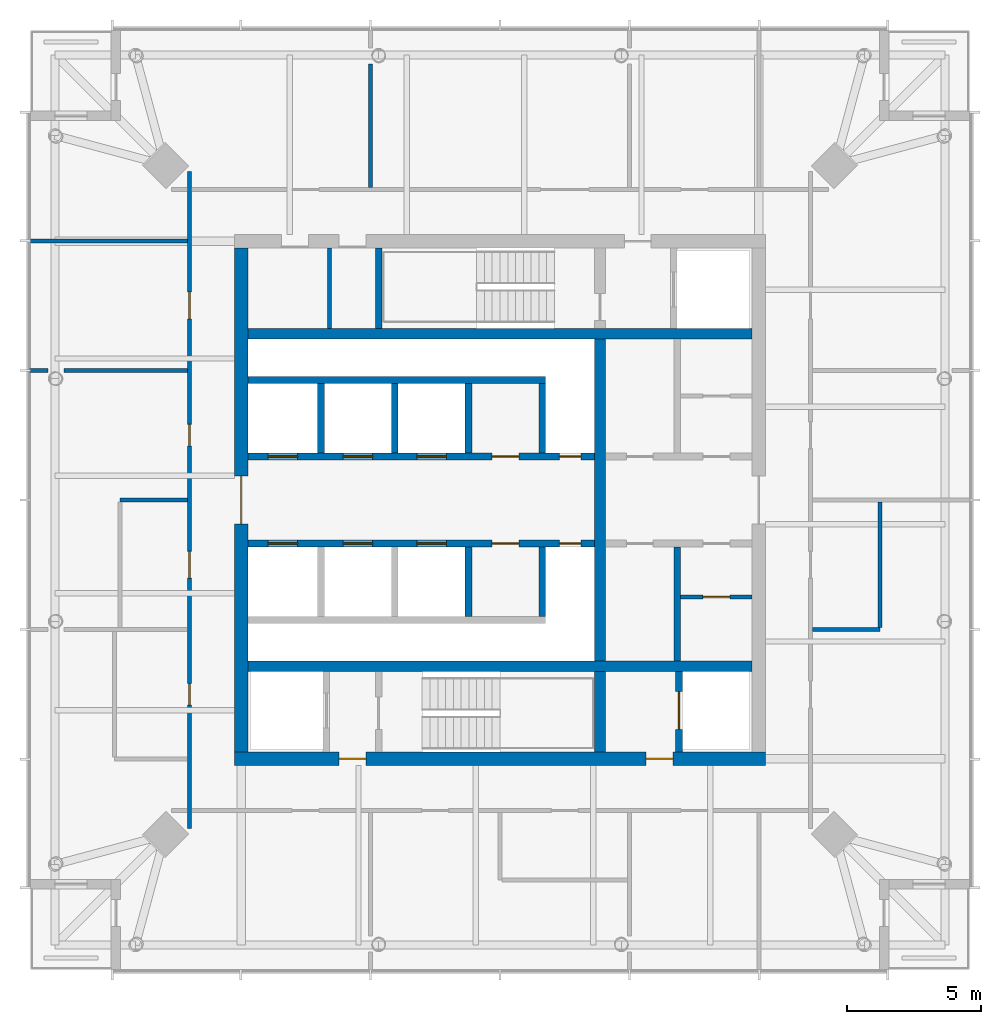
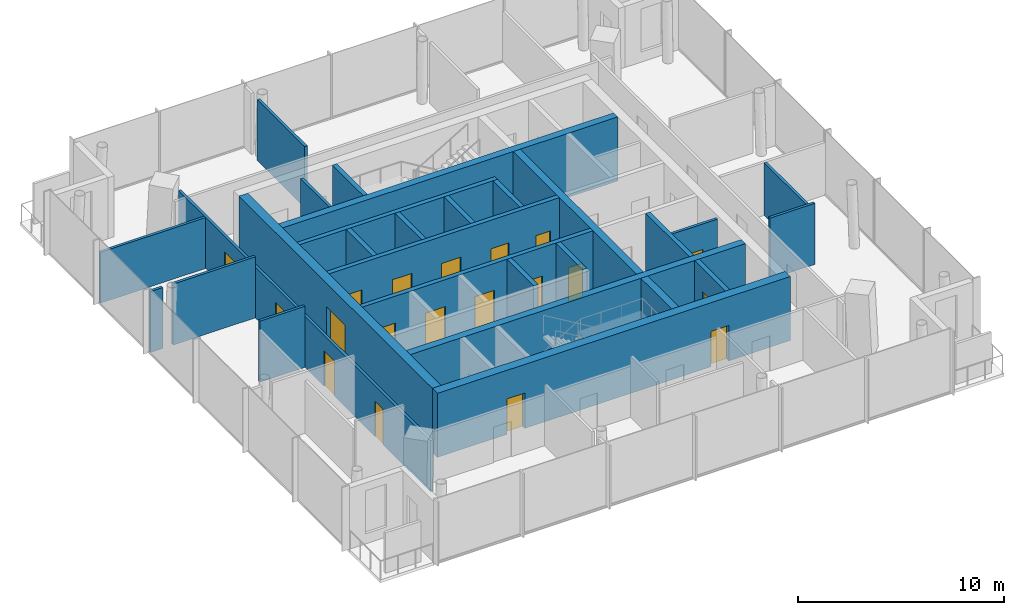
# One storey, part 4 of 7: 28 walls, 19 doors, 19 openings.
"""IFC4 building model written with IfcOpenShell, lengths in metres."""

from ifc_helpers import new_model, si_unit, direction, frame, frame_2d, origin, place, context, subcontext, project, spatial, rectangle, extrude, material, layer, layer_set, type_object, element, fill, save


model = new_model("IFC4")

# Units and contexts
model_context = context("Model", 3, precision=1e-05, world=origin(), true_north=direction((0.0, 1.0)))
body_context = subcontext(model_context, "Body", "Model", "MODEL_VIEW")
ifc_project = project(units=[si_unit("LENGTHUNIT", "METRE"), si_unit("AREAUNIT", "SQUARE_METRE"), si_unit("VOLUMEUNIT", "CUBIC_METRE"), si_unit("PLANEANGLEUNIT", "RADIAN"), si_unit("MASSUNIT", "GRAM", prefix="KILO")], contexts=[model_context])

# Site, building, storey
site_placement = place(None, origin())
site = spatial("IfcSite", under=ifc_project, at=site_placement, CompositionType="ELEMENT")
building_placement = place(site_placement, origin())
building = spatial("IfcBuilding", under=site, at=building_placement, Name="Ostroluk Exchange", CompositionType="ELEMENT")
storey_placement = place(building_placement, frame((0.0, 0.0, 252.800048828125)))
storey = spatial("IfcBuildingStorey", under=building, at=storey_placement, Name="L65", CompositionType="ELEMENT", Elevation=252.800048828125)

# Wall
ifc_material_1 = material(Name="Concrete blockwork", Category="masonry")
ifc_layer_1 = layer(ifc_material_1, 0.14990234375)
ifc_layer_set_1 = layer_set([ifc_layer_1], Name="Blockwork plant room wall 150")
wall_type_1 = type_object("IfcWallType", Name="Blockwork plant room wall 150", PredefinedType="SOLIDWALL", material=ifc_layer_set_1)
wall_1_placement = place(storey_placement, frame((38.639892578125, 52.39990234375, 0.0), z_axis=(0.0, 0.0, 1.0), x_axis=(0.0, 1.0, 0.0)))
element("IfcWall", 1, at=wall_1_placement, inside=storey, type_object=wall_type_1, Name="Core room wall", PredefinedType="SOLIDWALL", context=body_context, shape_type="SweptSolid", body=[
    extrude(rectangle(XDim=3.0, YDim=0.14990234375, at=frame_2d((1.5, 0.0))), origin(), (0.0, 0.0, 1.0), 3.619873046875),
])

# Wall, opening, door
wall_2_placement = place(storey_placement, frame((51.739990234375, 42.3798828125, 0.0), z_axis=(0.0, 0.0, 1.0), x_axis=(1.0, 0.0, 0.0)))
wall_2 = element("IfcWall", 2, at=wall_2_placement, inside=storey, type_object=wall_type_1, Name="Core room wall", PredefinedType="SOLIDWALL", context=body_context, shape_type="SweptSolid", body=[
    extrude(rectangle(XDim=2.659912109375, YDim=0.14990234375, at=frame_2d((1.330078125, 0.0))), origin(), (0.0, 0.0, 1.0), 3.619873046875),
])
opening_1_placement = place(wall_2_placement, frame((0.830078125, 0.0, 0.0)))
opening_1 = element("IfcOpeningElement", 3, at=opening_1_placement, cuts=wall_2, Name="Opening FD60", PredefinedType="OPENING", context=body_context, shape_type="SweptSolid", body=[
    extrude(rectangle(XDim=1.0, YDim=2.10009765625, at=frame_2d((0.5, 1.050048828125))), frame((0.0, 0.0849609375, 0.0), z_axis=(0.0, -1.0, 0.0), x_axis=(1.0, 0.0, 0.0)), (0.0, 0.0, 1.0), 0.169921875),
])
ifc_material_2 = material(Name="Steel", Category="steel")
door_type_1 = type_object("IfcDoorType", Name="Fire door EI 60 1000 x 2100", OperationType="SINGLE_SWING_LEFT", PredefinedType="DOOR", material=ifc_material_2)
door_1_placement = place(opening_1_placement, origin())
door_1 = element("IfcDoor", 4, at=door_1_placement, inside=storey, type_object=door_type_1, Name="Cleaner's store door", OperationType="SINGLE_SWING_RIGHT", OverallHeight=2.10009765625, OverallWidth=1.0, PredefinedType="DOOR", context=body_context, shape_type="SweptSolid", body=[
    extrude(rectangle(XDim=1.0, YDim=2.10009765625, at=frame_2d((0.5, 1.050048828125))), frame((0.0, 0.02490234375, 0.0), z_axis=(0.0, -1.0, 0.0), x_axis=(1.0, 0.0, 0.0)), (0.0, 0.0, 1.0), 0.050048828125),
])
fill(opening_1, door_1)

# Walls
ifc_material_3 = material(Name="Concrete C50/60", Category="concrete")
ifc_layer_2 = layer(ifc_material_3, 0.39990234375)
ifc_layer_set_2 = layer_set([ifc_layer_2], Name="Core cross wall 400 C50/60")
wall_type_2 = type_object("IfcWallType", Name="Core cross wall 400 C50/60", PredefinedType="SHEAR", material=ifc_layer_set_2)
for number, where, z_axis, x_axis, name in (
    (5, (35.60009765625, 39.800048828125, 0.0), (0.0, 0.0, 1.0), (1.0, 0.0, 0.0), "T1 core wall XS"),
    (6, (35.60009765625, 52.199951171875, 0.0), (0.0, 0.0, 1.0), (1.0, 0.0, 0.0), "T1 core wall XN"),
):
    element("IfcWall", number, at=place(storey_placement, frame(where, z_axis=z_axis, x_axis=x_axis)), inside=storey, type_object=wall_type_2, Name=name, PredefinedType="SHEAR", context=body_context, shape_type="SweptSolid", body=[
        extrude(rectangle(XDim=18.7998046875, YDim=0.39990234375, at=frame_2d((9.39990234375, 0.0))), origin(), (0.0, 0.0, 1.0), 3.800048828125),
    ])
wall_3_placement = place(storey_placement, frame((48.72998046875, 36.60009765625, 0.0), z_axis=(0.0, 0.0, 1.0), x_axis=(0.0, 1.0, 0.0)))
element("IfcWall", 7, at=wall_3_placement, inside=storey, type_object=wall_type_2, Name="T1 core wall YE1", PredefinedType="SHEAR", context=body_context, shape_type="SweptSolid", body=[
    extrude(rectangle(XDim=3.0, YDim=0.39990234375, at=frame_2d((1.5, 0.0))), origin(), (0.0, 0.0, 1.0), 3.800048828125),
])
wall_4_placement = place(storey_placement, frame((48.72998046875, 40.0, 0.0), z_axis=(0.0, 0.0, 1.0), x_axis=(0.0, 1.0, 0.0)))
element("IfcWall", 8, at=wall_4_placement, inside=storey, type_object=wall_type_2, Name="T1 core wall YE2", PredefinedType="SHEAR", context=body_context, shape_type="SweptSolid", body=[
    extrude(rectangle(XDim=12.0, YDim=0.39990234375, at=frame_2d((6.0, 0.0))), origin(), (0.0, 0.0, 1.0), 3.800048828125),
])

# Wall, opening, door
ifc_material_4 = material(Name="Concrete C40/50", Category="concrete")
ifc_layer_3 = layer(ifc_material_4, 0.25)
ifc_layer_set_3 = layer_set([ifc_layer_3], Name="Core shaft wall 250")
wall_type_3 = type_object("IfcWallType", Name="Core shaft wall 250", PredefinedType="SHEAR", material=ifc_layer_set_3)
wall_5_placement = place(storey_placement, frame((51.675048828125, 36.60009765625, 0.0), z_axis=(0.0, 0.0, 1.0), x_axis=(0.0, 1.0, 0.0)))
wall_5 = element("IfcWall", 9, at=wall_5_placement, inside=storey, type_object=wall_type_3, Name="Service lift shaft wall", PredefinedType="SHEAR", context=body_context, shape_type="SweptSolid", body=[
    extrude(rectangle(XDim=3.0, YDim=0.25, at=frame_2d((1.5, 0.0))), origin(), (0.0, 0.0, 1.0), 3.800048828125),
])
opening_2_placement = place(wall_5_placement, frame((0.85009765625, 0.0, 0.0)))
opening_2 = element("IfcOpeningElement", 10, at=opening_2_placement, cuts=wall_5, Name="Opening LD3", PredefinedType="OPENING", context=body_context, shape_type="SweptSolid", body=[
    extrude(rectangle(XDim=1.39990234375, YDim=2.39990234375, at=frame_2d((0.699951171875, 1.199951171875))), frame((0.0, 0.135009765625, 0.0), z_axis=(0.0, -1.0, 0.0), x_axis=(1.0, 0.0, 0.0)), (0.0, 0.0, 1.0), 0.27001953125),
])
ifc_material_5 = material(Name="Stainless steel", Category="steel")
door_type_2 = type_object("IfcDoorType", Name="Goods lift landing door E 60 1400 x 2400", OperationType="DOUBLE_DOOR_SLIDING", PredefinedType="DOOR", material=ifc_material_5)
door_2_placement = place(opening_2_placement, origin())
door_2 = element("IfcDoor", 11, at=door_2_placement, inside=storey, type_object=door_type_2, Name="Lift SL1 landing door", OperationType="DOUBLE_DOOR_SLIDING", OverallHeight=2.39990234375, OverallWidth=1.39990234375, PredefinedType="DOOR", context=body_context, shape_type="SweptSolid", body=[
    extrude(rectangle(XDim=1.39990234375, YDim=2.39990234375, at=frame_2d((0.699951171875, 1.199951171875))), frame((0.0, 0.02490234375, 0.0), z_axis=(0.0, -1.0, 0.0), x_axis=(1.0, 0.0, 0.0)), (0.0, 0.0, 1.0), 0.050048828125),
])
fill(opening_2, door_2)

# Walls
wall_6_placement = place(storey_placement, frame((40.47509765625, 52.39990234375, 0.0), z_axis=(0.0, 0.0, 1.0), x_axis=(0.0, 1.0, 0.0)))
element("IfcWall", 12, at=wall_6_placement, inside=storey, type_object=wall_type_3, Name="Stair shaft wall", PredefinedType="SHEAR", context=body_context, shape_type="SweptSolid", body=[
    extrude(rectangle(XDim=3.0, YDim=0.25, at=frame_2d((1.5, 0.0))), origin(), (0.0, 0.0, 1.0), 3.800048828125),
])
for number, where, z_axis, x_axis, name in (
    (13, (38.324951171875, 47.75, 0.0), (0.0, 0.0, 1.0), (0.0, 1.0, 0.0), "Lift shaft wall"),
    (14, (41.074951171875, 47.75, 0.0), (0.0, 0.0, 1.0), (0.0, 1.0, 0.0), "Lift shaft wall"),
    (15, (43.824951171875, 47.75, 0.0), (0.0, 0.0, 1.0), (0.0, 1.0, 0.0), "Lift shaft wall"),
    (16, (46.574951171875, 47.75, 0.0), (0.0, 0.0, 1.0), (0.0, 1.0, 0.0), "Lift shaft wall"),
):
    element("IfcWall", number, at=place(storey_placement, frame(where, z_axis=z_axis, x_axis=x_axis)), inside=storey, type_object=wall_type_3, Name=name, PredefinedType="SHEAR", context=body_context, shape_type="SweptSolid", body=[
        extrude(rectangle(XDim=2.60009765625, YDim=0.25, at=frame_2d((1.300048828125, 0.0))), origin(), (0.0, 0.0, 1.0), 3.800048828125),
    ])
wall_7_placement = place(storey_placement, frame((35.60009765625, 50.47509765625, 0.0), z_axis=(0.0, 0.0, 1.0), x_axis=(1.0, 0.0, 0.0)))
element("IfcWall", 17, at=wall_7_placement, inside=storey, type_object=wall_type_3, Name="Lift shaft wall", PredefinedType="SHEAR", context=body_context, shape_type="SweptSolid", body=[
    extrude(rectangle(XDim=11.099853515625, YDim=0.25, at=frame_2d((5.5498046875, 0.0))), origin(), (0.0, 0.0, 1.0), 3.800048828125),
])

# Wall, openings, doors
wall_8_placement = place(storey_placement, frame((35.60009765625, 47.625, 0.0), z_axis=(0.0, 0.0, 1.0), x_axis=(1.0, 0.0, 0.0)))
wall_8 = element("IfcWall", 18, at=wall_8_placement, inside=storey, type_object=wall_type_3, Name="Lift shaft front wall", PredefinedType="SHEAR", context=body_context, shape_type="SweptSolid", body=[
    extrude(rectangle(XDim=12.929931640625, YDim=0.25, at=frame_2d((6.46484375, 0.0))), origin(), (0.0, 0.0, 1.0), 3.800048828125),
])
opening_3_placement = place(wall_8_placement, frame((0.75, 0.0, 0.0)))
opening_3 = element("IfcOpeningElement", 19, at=opening_3_placement, cuts=wall_8, Name="Opening LD", PredefinedType="OPENING", context=body_context, shape_type="SweptSolid", body=[
    extrude(rectangle(XDim=1.10009765625, YDim=2.199951171875, at=frame_2d((0.550048828125, 1.10009765625))), frame((0.0, 0.135009765625, 0.0), z_axis=(0.0, -1.0, 0.0), x_axis=(1.0, 0.0, 0.0)), (0.0, 0.0, 1.0), 0.27001953125),
])
opening_4_placement = place(wall_8_placement, frame((3.550048828125, 0.0, 0.0)))
opening_4 = element("IfcOpeningElement", 20, at=opening_4_placement, cuts=wall_8, Name="Opening LD", PredefinedType="OPENING", context=body_context, shape_type="SweptSolid", body=[
    extrude(rectangle(XDim=1.10009765625, YDim=2.199951171875, at=frame_2d((0.550048828125, 1.10009765625))), frame((0.0, 0.135009765625, 0.0), z_axis=(0.0, -1.0, 0.0), x_axis=(1.0, 0.0, 0.0)), (0.0, 0.0, 1.0), 0.27001953125),
])
opening_5_placement = place(wall_8_placement, frame((6.300048828125, 0.0, 0.0)))
opening_5 = element("IfcOpeningElement", 21, at=opening_5_placement, cuts=wall_8, Name="Opening LD", PredefinedType="OPENING", context=body_context, shape_type="SweptSolid", body=[
    extrude(rectangle(XDim=1.10009765625, YDim=2.199951171875, at=frame_2d((0.550048828125, 1.10009765625))), frame((0.0, 0.135009765625, 0.0), z_axis=(0.0, -1.0, 0.0), x_axis=(1.0, 0.0, 0.0)), (0.0, 0.0, 1.0), 0.27001953125),
])
opening_6_placement = place(wall_8_placement, frame((9.10009765625, 0.0, 0.0)))
opening_6 = element("IfcOpeningElement", 22, at=opening_6_placement, cuts=wall_8, Name="Opening FD60", PredefinedType="OPENING", context=body_context, shape_type="SweptSolid", body=[
    extrude(rectangle(XDim=1.0, YDim=2.10009765625, at=frame_2d((0.5, 1.050048828125))), frame((0.0, 0.135009765625, 0.0), z_axis=(0.0, -1.0, 0.0), x_axis=(1.0, 0.0, 0.0)), (0.0, 0.0, 1.0), 0.27001953125),
])
opening_7_placement = place(wall_8_placement, frame((11.614990234375, 0.0, 0.0)))
opening_7 = element("IfcOpeningElement", 23, at=opening_7_placement, cuts=wall_8, Name="Opening RD60", PredefinedType="OPENING", context=body_context, shape_type="SweptSolid", body=[
    extrude(rectangle(XDim=0.800048828125, YDim=2.0, at=frame_2d((0.39990234375, 1.0))), frame((0.0, 0.135009765625, 0.0), z_axis=(0.0, -1.0, 0.0), x_axis=(1.0, 0.0, 0.0)), (0.0, 0.0, 1.0), 0.27001953125),
])
door_3_placement = place(opening_6_placement, origin())
door_3 = element("IfcDoor", 24, at=door_3_placement, inside=storey, type_object=door_type_1, Name="Core room door", OperationType="SINGLE_SWING_RIGHT", OverallHeight=2.10009765625, OverallWidth=1.0, PredefinedType="DOOR", context=body_context, shape_type="SweptSolid", body=[
    extrude(rectangle(XDim=1.0, YDim=2.10009765625, at=frame_2d((0.5, 1.050048828125))), frame((0.0, 0.02490234375, 0.0), z_axis=(0.0, -1.0, 0.0), x_axis=(1.0, 0.0, 0.0)), (0.0, 0.0, 1.0), 0.050048828125),
])
fill(opening_6, door_3)
ifc_material_6 = material(Name="Stainless steel", Category="steel")
door_type_3 = type_object("IfcDoorType", Name="Lift landing door E 60 1100 x 2200", OperationType="DOUBLE_DOOR_SLIDING", PredefinedType="DOOR", material=ifc_material_6)
door_4_placement = place(opening_3_placement, origin())
door_4 = element("IfcDoor", 25, at=door_4_placement, inside=storey, type_object=door_type_3, Name="Lift PL-T1 landing door", OperationType="DOUBLE_DOOR_SLIDING", OverallHeight=2.199951171875, OverallWidth=1.10009765625, PredefinedType="DOOR", context=body_context, shape_type="SweptSolid", body=[
    extrude(rectangle(XDim=1.10009765625, YDim=2.199951171875, at=frame_2d((0.550048828125, 1.10009765625))), frame((0.0, 0.02490234375, 0.0), z_axis=(0.0, -1.0, 0.0), x_axis=(1.0, 0.0, 0.0)), (0.0, 0.0, 1.0), 0.050048828125),
])
fill(opening_3, door_4)
door_5_placement = place(opening_4_placement, origin())
door_5 = element("IfcDoor", 26, at=door_5_placement, inside=storey, type_object=door_type_3, Name="Lift PL-T2 landing door", OperationType="DOUBLE_DOOR_SLIDING", OverallHeight=2.199951171875, OverallWidth=1.10009765625, PredefinedType="DOOR", context=body_context, shape_type="SweptSolid", body=[
    extrude(rectangle(XDim=1.10009765625, YDim=2.199951171875, at=frame_2d((0.550048828125, 1.10009765625))), frame((0.0, 0.02490234375, 0.0), z_axis=(0.0, -1.0, 0.0), x_axis=(1.0, 0.0, 0.0)), (0.0, 0.0, 1.0), 0.050048828125),
])
fill(opening_4, door_5)
door_6_placement = place(opening_5_placement, origin())
door_6 = element("IfcDoor", 27, at=door_6_placement, inside=storey, type_object=door_type_3, Name="Lift PL-T3 landing door", OperationType="DOUBLE_DOOR_SLIDING", OverallHeight=2.199951171875, OverallWidth=1.10009765625, PredefinedType="DOOR", context=body_context, shape_type="SweptSolid", body=[
    extrude(rectangle(XDim=1.10009765625, YDim=2.199951171875, at=frame_2d((0.550048828125, 1.10009765625))), frame((0.0, 0.02490234375, 0.0), z_axis=(0.0, -1.0, 0.0), x_axis=(1.0, 0.0, 0.0)), (0.0, 0.0, 1.0), 0.050048828125),
])
fill(opening_5, door_6)
ifc_material_7 = material(Name="Steel", Category="steel")
door_type_4 = type_object("IfcDoorType", Name="Riser access door EI 60 800 x 2000", OperationType="SINGLE_SWING_LEFT", PredefinedType="DOOR", material=ifc_material_7)
door_7_placement = place(opening_7_placement, origin())
door_7 = element("IfcDoor", 28, at=door_7_placement, inside=storey, type_object=door_type_4, Name="Riser access door", OperationType="SINGLE_SWING_RIGHT", OverallHeight=2.0, OverallWidth=0.800048828125, PredefinedType="DOOR", context=body_context, shape_type="SweptSolid", body=[
    extrude(rectangle(XDim=0.800048828125, YDim=2.0, at=frame_2d((0.39990234375, 1.0))), frame((0.0, 0.02490234375, 0.0), z_axis=(0.0, -1.0, 0.0), x_axis=(1.0, 0.0, 0.0)), (0.0, 0.0, 1.0), 0.050048828125),
])
fill(opening_7, door_7)

# Walls
for number, where, z_axis, x_axis, name in (
    (29, (43.824951171875, 44.25, 0.0), (0.0, 0.0, 1.0), (0.0, -1.0, 0.0), "Lift shaft wall"),
    (30, (46.574951171875, 44.25, 0.0), (0.0, 0.0, 1.0), (0.0, -1.0, 0.0), "Lift shaft wall"),
):
    element("IfcWall", number, at=place(storey_placement, frame(where, z_axis=z_axis, x_axis=x_axis)), inside=storey, type_object=wall_type_3, Name=name, PredefinedType="SHEAR", context=body_context, shape_type="SweptSolid", body=[
        extrude(rectangle(XDim=2.60009765625, YDim=0.25, at=frame_2d((1.300048828125, 0.0))), origin(), (0.0, 0.0, 1.0), 3.800048828125),
    ])

# Wall, openings, doors
wall_9_placement = place(storey_placement, frame((35.60009765625, 44.375, 0.0), z_axis=(0.0, 0.0, 1.0), x_axis=(1.0, 0.0, 0.0)))
wall_9 = element("IfcWall", 31, at=wall_9_placement, inside=storey, type_object=wall_type_3, Name="Lift shaft front wall", PredefinedType="SHEAR", context=body_context, shape_type="SweptSolid", body=[
    extrude(rectangle(XDim=12.929931640625, YDim=0.25, at=frame_2d((6.46484375, 0.0))), origin(), (0.0, 0.0, 1.0), 3.800048828125),
])
opening_8_placement = place(wall_9_placement, frame((0.75, 0.0, 0.0)))
opening_8 = element("IfcOpeningElement", 32, at=opening_8_placement, cuts=wall_9, Name="Opening LD", PredefinedType="OPENING", context=body_context, shape_type="SweptSolid", body=[
    extrude(rectangle(XDim=1.10009765625, YDim=2.199951171875, at=frame_2d((0.550048828125, 1.10009765625))), frame((0.0, 0.135009765625, 0.0), z_axis=(0.0, -1.0, 0.0), x_axis=(1.0, 0.0, 0.0)), (0.0, 0.0, 1.0), 0.27001953125),
])
opening_9_placement = place(wall_9_placement, frame((3.550048828125, 0.0, 0.0)))
opening_9 = element("IfcOpeningElement", 33, at=opening_9_placement, cuts=wall_9, Name="Opening LD", PredefinedType="OPENING", context=body_context, shape_type="SweptSolid", body=[
    extrude(rectangle(XDim=1.10009765625, YDim=2.199951171875, at=frame_2d((0.550048828125, 1.10009765625))), frame((0.0, 0.135009765625, 0.0), z_axis=(0.0, -1.0, 0.0), x_axis=(1.0, 0.0, 0.0)), (0.0, 0.0, 1.0), 0.27001953125),
])
opening_10_placement = place(wall_9_placement, frame((6.300048828125, 0.0, 0.0)))
opening_10 = element("IfcOpeningElement", 34, at=opening_10_placement, cuts=wall_9, Name="Opening LD", PredefinedType="OPENING", context=body_context, shape_type="SweptSolid", body=[
    extrude(rectangle(XDim=1.10009765625, YDim=2.199951171875, at=frame_2d((0.550048828125, 1.10009765625))), frame((0.0, 0.135009765625, 0.0), z_axis=(0.0, -1.0, 0.0), x_axis=(1.0, 0.0, 0.0)), (0.0, 0.0, 1.0), 0.27001953125),
])
opening_11_placement = place(wall_9_placement, frame((9.10009765625, 0.0, 0.0)))
opening_11 = element("IfcOpeningElement", 35, at=opening_11_placement, cuts=wall_9, Name="Opening FD60", PredefinedType="OPENING", context=body_context, shape_type="SweptSolid", body=[
    extrude(rectangle(XDim=1.0, YDim=2.10009765625, at=frame_2d((0.5, 1.050048828125))), frame((0.0, 0.135009765625, 0.0), z_axis=(0.0, -1.0, 0.0), x_axis=(1.0, 0.0, 0.0)), (0.0, 0.0, 1.0), 0.27001953125),
])
opening_12_placement = place(wall_9_placement, frame((11.614990234375, 0.0, 0.0)))
opening_12 = element("IfcOpeningElement", 36, at=opening_12_placement, cuts=wall_9, Name="Opening RD60", PredefinedType="OPENING", context=body_context, shape_type="SweptSolid", body=[
    extrude(rectangle(XDim=0.800048828125, YDim=2.0, at=frame_2d((0.39990234375, 1.0))), frame((0.0, 0.135009765625, 0.0), z_axis=(0.0, -1.0, 0.0), x_axis=(1.0, 0.0, 0.0)), (0.0, 0.0, 1.0), 0.27001953125),
])
door_8_placement = place(opening_11_placement, origin())
door_8 = element("IfcDoor", 37, at=door_8_placement, inside=storey, type_object=door_type_1, Name="Core room door", OperationType="SINGLE_SWING_RIGHT", OverallHeight=2.10009765625, OverallWidth=1.0, PredefinedType="DOOR", context=body_context, shape_type="SweptSolid", body=[
    extrude(rectangle(XDim=1.0, YDim=2.10009765625, at=frame_2d((0.5, 1.050048828125))), frame((0.0, 0.02490234375, 0.0), z_axis=(0.0, -1.0, 0.0), x_axis=(1.0, 0.0, 0.0)), (0.0, 0.0, 1.0), 0.050048828125),
])
fill(opening_11, door_8)
door_9_placement = place(opening_8_placement, origin())
door_9 = element("IfcDoor", 38, at=door_9_placement, inside=storey, type_object=door_type_3, Name="Lift PL-T4 landing door", OperationType="DOUBLE_DOOR_SLIDING", OverallHeight=2.199951171875, OverallWidth=1.10009765625, PredefinedType="DOOR", context=body_context, shape_type="SweptSolid", body=[
    extrude(rectangle(XDim=1.10009765625, YDim=2.199951171875, at=frame_2d((0.550048828125, 1.10009765625))), frame((0.0, 0.02490234375, 0.0), z_axis=(0.0, -1.0, 0.0), x_axis=(1.0, 0.0, 0.0)), (0.0, 0.0, 1.0), 0.050048828125),
])
fill(opening_8, door_9)
door_10_placement = place(opening_9_placement, origin())
door_10 = element("IfcDoor", 39, at=door_10_placement, inside=storey, type_object=door_type_3, Name="Lift PL-T5 landing door", OperationType="DOUBLE_DOOR_SLIDING", OverallHeight=2.199951171875, OverallWidth=1.10009765625, PredefinedType="DOOR", context=body_context, shape_type="SweptSolid", body=[
    extrude(rectangle(XDim=1.10009765625, YDim=2.199951171875, at=frame_2d((0.550048828125, 1.10009765625))), frame((0.0, 0.02490234375, 0.0), z_axis=(0.0, -1.0, 0.0), x_axis=(1.0, 0.0, 0.0)), (0.0, 0.0, 1.0), 0.050048828125),
])
fill(opening_9, door_10)
door_11_placement = place(opening_10_placement, origin())
door_11 = element("IfcDoor", 40, at=door_11_placement, inside=storey, type_object=door_type_3, Name="Lift PL-T6 landing door", OperationType="DOUBLE_DOOR_SLIDING", OverallHeight=2.199951171875, OverallWidth=1.10009765625, PredefinedType="DOOR", context=body_context, shape_type="SweptSolid", body=[
    extrude(rectangle(XDim=1.10009765625, YDim=2.199951171875, at=frame_2d((0.550048828125, 1.10009765625))), frame((0.0, 0.02490234375, 0.0), z_axis=(0.0, -1.0, 0.0), x_axis=(1.0, 0.0, 0.0)), (0.0, 0.0, 1.0), 0.050048828125),
])
fill(opening_10, door_11)
door_12_placement = place(opening_12_placement, origin())
door_12 = element("IfcDoor", 41, at=door_12_placement, inside=storey, type_object=door_type_4, Name="Riser access door", OperationType="SINGLE_SWING_RIGHT", OverallHeight=2.0, OverallWidth=0.800048828125, PredefinedType="DOOR", context=body_context, shape_type="SweptSolid", body=[
    extrude(rectangle(XDim=0.800048828125, YDim=2.0, at=frame_2d((0.39990234375, 1.0))), frame((0.0, 0.02490234375, 0.0), z_axis=(0.0, -1.0, 0.0), x_axis=(1.0, 0.0, 0.0)), (0.0, 0.0, 1.0), 0.050048828125),
])
fill(opening_12, door_12)

# Wall
wall_10_placement = place(storey_placement, frame((51.614990234375, 44.25, 0.0), z_axis=(0.0, 0.0, 1.0), x_axis=(0.0, -1.0, 0.0)))
element("IfcWall", 42, at=wall_10_placement, inside=storey, type_object=wall_type_3, Name="Lift shaft wall", PredefinedType="SHEAR", context=body_context, shape_type="SweptSolid", body=[
    extrude(rectangle(XDim=4.25, YDim=0.25, at=frame_2d((2.125, 0.0))), origin(), (0.0, 0.0, 1.0), 3.800048828125),
])

# Wall, openings, doors
ifc_material_8 = material(Name="Concrete C50/60", Category="concrete")
ifc_layer_4 = layer(ifc_material_8, 0.5)
ifc_layer_set_4 = layer_set([ifc_layer_4], Name="Core wall 500 C50/60")
wall_type_4 = type_object("IfcWallType", Name="Core wall 500 C50/60", PredefinedType="SHEAR", material=ifc_layer_set_4)
wall_11_placement = place(storey_placement, frame((35.10009765625, 36.35009765625, 0.0), z_axis=(0.0, 0.0, 1.0), x_axis=(1.0, 0.0, 0.0)))
wall_11 = element("IfcWall", 43, at=wall_11_placement, inside=storey, type_object=wall_type_4, Name="T1 core wall S", PredefinedType="SHEAR", context=body_context, shape_type="SweptSolid", body=[
    extrude(rectangle(XDim=19.7998046875, YDim=0.5, at=frame_2d((9.89990234375, 0.0))), origin(), (0.0, 0.0, 1.0), 3.800048828125),
])
opening_13_placement = place(wall_11_placement, frame((3.89990234375, 0.0, 0.0)))
opening_13 = element("IfcOpeningElement", 44, at=opening_13_placement, cuts=wall_11, Name="Opening FD60", PredefinedType="OPENING", context=body_context, shape_type="SweptSolid", body=[
    extrude(rectangle(XDim=1.0, YDim=2.10009765625, at=frame_2d((0.5, 1.050048828125))), frame((0.0, 0.260009765625, 0.0), z_axis=(0.0, -1.0, 0.0), x_axis=(1.0, 0.0, 0.0)), (0.0, 0.0, 1.0), 0.52001953125),
])
opening_14_placement = place(wall_11_placement, frame((15.35009765625, 0.0, 0.0)))
opening_14 = element("IfcOpeningElement", 45, at=opening_14_placement, cuts=wall_11, Name="Opening FD60", PredefinedType="OPENING", context=body_context, shape_type="SweptSolid", body=[
    extrude(rectangle(XDim=1.0, YDim=2.10009765625, at=frame_2d((0.5, 1.050048828125))), frame((0.0, 0.260009765625, 0.0), z_axis=(0.0, -1.0, 0.0), x_axis=(1.0, 0.0, 0.0)), (0.0, 0.0, 1.0), 0.52001953125),
])
door_13_placement = place(opening_13_placement, origin())
door_13 = element("IfcDoor", 46, at=door_13_placement, inside=storey, type_object=door_type_1, Name="Firefighting lobby door", OperationType="SINGLE_SWING_LEFT", OverallHeight=2.10009765625, OverallWidth=1.0, PredefinedType="DOOR", context=body_context, shape_type="SweptSolid", body=[
    extrude(rectangle(XDim=1.0, YDim=2.10009765625, at=frame_2d((0.5, 1.050048828125))), frame((0.0, 0.02490234375, 0.0), z_axis=(0.0, -1.0, 0.0), x_axis=(1.0, 0.0, 0.0)), (0.0, 0.0, 1.0), 0.050048828125),
])
fill(opening_13, door_13)
door_14_placement = place(opening_14_placement, origin())
door_14 = element("IfcDoor", 47, at=door_14_placement, inside=storey, type_object=door_type_1, Name="Service lobby door", OperationType="SINGLE_SWING_RIGHT", OverallHeight=2.10009765625, OverallWidth=1.0, PredefinedType="DOOR", context=body_context, shape_type="SweptSolid", body=[
    extrude(rectangle(XDim=1.0, YDim=2.10009765625, at=frame_2d((0.5, 1.050048828125))), frame((0.0, 0.02490234375, 0.0), z_axis=(0.0, -1.0, 0.0), x_axis=(1.0, 0.0, 0.0)), (0.0, 0.0, 1.0), 0.050048828125),
])
fill(opening_14, door_14)

# Wall, opening, door
wall_12_placement = place(storey_placement, frame((35.35009765625, 36.60009765625, 0.0), z_axis=(0.0, 0.0, 1.0), x_axis=(0.0, 1.0, 0.0)))
wall_12 = element("IfcWall", 48, at=wall_12_placement, inside=storey, type_object=wall_type_4, Name="T1 core wall W", PredefinedType="SHEAR", context=body_context, shape_type="SweptSolid", body=[
    extrude(rectangle(XDim=18.7998046875, YDim=0.5, at=frame_2d((9.39990234375, 0.0))), origin(), (0.0, 0.0, 1.0), 3.800048828125),
])
opening_15_placement = place(wall_12_placement, frame((8.5, 0.0, 0.0)))
opening_15 = element("IfcOpeningElement", 49, at=opening_15_placement, cuts=wall_12, Name="Opening FD30D", PredefinedType="OPENING", context=body_context, shape_type="SweptSolid", body=[
    extrude(rectangle(XDim=1.800048828125, YDim=2.39990234375, at=frame_2d((0.89990234375, 1.199951171875))), frame((0.0, 0.260009765625, 0.0), z_axis=(0.0, -1.0, 0.0), x_axis=(1.0, 0.0, 0.0)), (0.0, 0.0, 1.0), 0.52001953125),
])
ifc_material_9 = material(Name="Timber", Category="wood")
door_type_5 = type_object("IfcDoorType", Name="Lobby double door EI 30 1800 x 2400", OperationType="DOUBLE_DOOR_SINGLE_SWING", PredefinedType="DOOR", material=ifc_material_9)
door_15_placement = place(opening_15_placement, origin())
door_15 = element("IfcDoor", 50, at=door_15_placement, inside=storey, type_object=door_type_5, Name="Lift lobby doors", OperationType="DOUBLE_DOOR_SINGLE_SWING", OverallHeight=2.39990234375, OverallWidth=1.800048828125, PredefinedType="DOOR", context=body_context, shape_type="SweptSolid", body=[
    extrude(rectangle(XDim=1.800048828125, YDim=2.39990234375, at=frame_2d((0.89990234375, 1.199951171875))), frame((0.0, 0.02490234375, 0.0), z_axis=(0.0, -1.0, 0.0), x_axis=(1.0, 0.0, 0.0)), (0.0, 0.0, 1.0), 0.050048828125),
])
fill(opening_15, door_15)

# Walls
ifc_material_10 = material(Name="Gypsum plasterboard partition", Category="gypsum")
ifc_layer_5 = layer(ifc_material_10, 0.14990234375)
ifc_layer_set_5 = layer_set([ifc_layer_5], Name="Plasterboard partition 150")
wall_type_5 = type_object("IfcWallType", Name="Plasterboard partition 150", PredefinedType="PARTITIONING", material=ifc_layer_set_5)
wall_13_placement = place(storey_placement, frame((59.175048828125, 41.24169921875, 0.0), z_axis=(0.0, 0.0, 1.0), x_axis=(0.0, 1.0, 0.0)))
element("IfcWall", 51, at=wall_13_placement, inside=storey, type_object=wall_type_5, Name="Partition", PredefinedType="PARTITIONING", context=body_context, shape_type="SweptSolid", body=[
    extrude(rectangle(XDim=4.683349609375, YDim=0.14990234375, at=frame_2d((2.341796875, 0.0))), origin(), (0.0, 0.0, 1.0), 3.119873046875),
])
wall_14_placement = place(storey_placement, frame((56.64990234375, 41.166748046875, 0.0), z_axis=(0.0, 0.0, 1.0), x_axis=(1.0, 0.0, 0.0)))
element("IfcWall", 52, at=wall_14_placement, inside=storey, type_object=wall_type_5, Name="Partition", PredefinedType="PARTITIONING", context=body_context, shape_type="SweptSolid", body=[
    extrude(rectangle(XDim=2.525146484375, YDim=0.14990234375, at=frame_2d((1.2626953125, 0.0))), origin(), (0.0, 0.0, 1.0), 3.619873046875),
])
wall_15_placement = place(storey_placement, frame((40.166748046875, 57.64990234375, 0.0), z_axis=(0.0, 0.0, 1.0), x_axis=(0.0, 1.0, 0.0)))
element("IfcWall", 53, at=wall_15_placement, inside=storey, type_object=wall_type_5, Name="Partition", PredefinedType="PARTITIONING", context=body_context, shape_type="SweptSolid", body=[
    extrude(rectangle(XDim=4.609130859375, YDim=0.14990234375, at=frame_2d((2.3046875, 0.0))), origin(), (0.0, 0.0, 1.0), 3.619873046875),
])

# Wall, openings, doors
wall_16_placement = place(storey_placement, frame((33.425048828125, 58.244384765625, 0.0), z_axis=(0.0, 0.0, 1.0), x_axis=(0.0, -1.0, 0.0)))
wall_16 = element("IfcWall", 54, at=wall_16_placement, inside=storey, type_object=wall_type_5, Name="Partition", PredefinedType="PARTITIONING", context=body_context, shape_type="SweptSolid", body=[
    extrude(rectangle(XDim=24.48876953125, YDim=0.14990234375, at=frame_2d((12.244384765625, 0.0))), origin(), (0.0, 0.0, 1.0), 3.02001953125),
])
opening_16_placement = place(wall_16_placement, frame((4.494384765625, 0.0, 0.0)))
opening_16 = element("IfcOpeningElement", 55, at=opening_16_placement, cuts=wall_16, Name="Opening D-03", PredefinedType="OPENING", context=body_context, shape_type="SweptSolid", body=[
    extrude(rectangle(XDim=1.0, YDim=2.10009765625, at=frame_2d((0.5, 1.050048828125))), frame((0.0, 0.0849609375, 0.0), z_axis=(0.0, -1.0, 0.0), x_axis=(1.0, 0.0, 0.0)), (0.0, 0.0, 1.0), 0.169921875),
])
opening_17_placement = place(wall_16_placement, frame((9.427734375, 0.0, 0.0)))
opening_17 = element("IfcOpeningElement", 56, at=opening_17_placement, cuts=wall_16, Name="Opening D-06", PredefinedType="OPENING", context=body_context, shape_type="SweptSolid", body=[
    extrude(rectangle(XDim=0.800048828125, YDim=2.10009765625, at=frame_2d((0.39990234375, 1.050048828125))), frame((0.0, 0.0849609375, 0.0), z_axis=(0.0, -1.0, 0.0), x_axis=(1.0, 0.0, 0.0)), (0.0, 0.0, 1.0), 0.169921875),
])
opening_18_placement = place(wall_16_placement, frame((14.160888671875, 0.0, 0.0)))
opening_18 = element("IfcOpeningElement", 57, at=opening_18_placement, cuts=wall_16, Name="Opening D-03", PredefinedType="OPENING", context=body_context, shape_type="SweptSolid", body=[
    extrude(rectangle(XDim=1.0, YDim=2.10009765625, at=frame_2d((0.5, 1.050048828125))), frame((0.0, 0.0849609375, 0.0), z_axis=(0.0, -1.0, 0.0), x_axis=(1.0, 0.0, 0.0)), (0.0, 0.0, 1.0), 0.169921875),
])
opening_19_placement = place(wall_16_placement, frame((19.09423828125, 0.0, 0.0)))
opening_19 = element("IfcOpeningElement", 58, at=opening_19_placement, cuts=wall_16, Name="Opening D-06", PredefinedType="OPENING", context=body_context, shape_type="SweptSolid", body=[
    extrude(rectangle(XDim=0.800048828125, YDim=2.10009765625, at=frame_2d((0.39990234375, 1.050048828125))), frame((0.0, 0.0849609375, 0.0), z_axis=(0.0, -1.0, 0.0), x_axis=(1.0, 0.0, 0.0)), (0.0, 0.0, 1.0), 0.169921875),
])
ifc_material_11 = material(Name="Timber", Category="wood")
door_type_6 = type_object("IfcDoorType", Name="Internal door 1000 x 2100", OperationType="SINGLE_SWING_LEFT", PredefinedType="DOOR", material=ifc_material_11)
door_16_placement = place(opening_16_placement, origin())
door_16 = element("IfcDoor", 59, at=door_16_placement, inside=storey, type_object=door_type_6, Name="Office door", OperationType="SINGLE_SWING_LEFT", OverallHeight=2.10009765625, OverallWidth=1.0, PredefinedType="DOOR", context=body_context, shape_type="SweptSolid", body=[
    extrude(rectangle(XDim=1.0, YDim=2.10009765625, at=frame_2d((0.5, 1.050048828125))), frame((0.0, 0.02490234375, 0.0), z_axis=(0.0, -1.0, 0.0), x_axis=(1.0, 0.0, 0.0)), (0.0, 0.0, 1.0), 0.050048828125),
])
fill(opening_16, door_16)
door_17_placement = place(opening_18_placement, origin())
door_17 = element("IfcDoor", 60, at=door_17_placement, inside=storey, type_object=door_type_6, Name="Accessible WC door", OperationType="SINGLE_SWING_RIGHT", OverallHeight=2.10009765625, OverallWidth=1.0, PredefinedType="DOOR", context=body_context, shape_type="SweptSolid", body=[
    extrude(rectangle(XDim=1.0, YDim=2.10009765625, at=frame_2d((0.5, 1.050048828125))), frame((0.0, 0.02490234375, 0.0), z_axis=(0.0, -1.0, 0.0), x_axis=(1.0, 0.0, 0.0)), (0.0, 0.0, 1.0), 0.050048828125),
])
fill(opening_18, door_17)
ifc_material_12 = material(Name="Timber", Category="wood")
door_type_7 = type_object("IfcDoorType", Name="Toilet door 800 x 2100", OperationType="SINGLE_SWING_LEFT", PredefinedType="DOOR", material=ifc_material_12)
door_18_placement = place(opening_17_placement, origin())
door_18 = element("IfcDoor", 61, at=door_18_placement, inside=storey, type_object=door_type_7, Name="WC female door", OperationType="SINGLE_SWING_LEFT", OverallHeight=2.10009765625, OverallWidth=0.800048828125, PredefinedType="DOOR", context=body_context, shape_type="SweptSolid", body=[
    extrude(rectangle(XDim=0.800048828125, YDim=2.10009765625, at=frame_2d((0.39990234375, 1.050048828125))), frame((0.0, 0.02490234375, 0.0), z_axis=(0.0, -1.0, 0.0), x_axis=(1.0, 0.0, 0.0)), (0.0, 0.0, 1.0), 0.050048828125),
])
fill(opening_17, door_18)
door_19_placement = place(opening_19_placement, origin())
door_19 = element("IfcDoor", 62, at=door_19_placement, inside=storey, type_object=door_type_7, Name="WC male door", OperationType="SINGLE_SWING_RIGHT", OverallHeight=2.10009765625, OverallWidth=0.800048828125, PredefinedType="DOOR", context=body_context, shape_type="SweptSolid", body=[
    extrude(rectangle(XDim=0.800048828125, YDim=2.10009765625, at=frame_2d((0.39990234375, 1.050048828125))), frame((0.0, 0.02490234375, 0.0), z_axis=(0.0, -1.0, 0.0), x_axis=(1.0, 0.0, 0.0)), (0.0, 0.0, 1.0), 0.050048828125),
])
fill(opening_19, door_19)

# Walls
wall_17_placement = place(storey_placement, frame((33.35009765625, 55.666748046875, 0.0), z_axis=(0.0, 0.0, 1.0), x_axis=(-1.0, 0.0, 0.0)))
element("IfcWall", 63, at=wall_17_placement, inside=storey, type_object=wall_type_5, Name="Partition", PredefinedType="PARTITIONING", context=body_context, shape_type="SweptSolid", body=[
    extrude(rectangle(XDim=5.89013671875, YDim=0.14990234375, at=frame_2d((2.945068359375, 0.0))), origin(), (0.0, 0.0, 1.0), 3.02001953125),
])
wall_18_placement = place(storey_placement, frame((33.35009765625, 50.833251953125, 0.0), z_axis=(0.0, 0.0, 1.0), x_axis=(-1.0, 0.0, 0.0)))
element("IfcWall", 64, at=wall_18_placement, inside=storey, type_object=wall_type_5, Name="Partition", PredefinedType="PARTITIONING", context=body_context, shape_type="SweptSolid", body=[
    extrude(rectangle(XDim=4.609130859375, YDim=0.14990234375, at=frame_2d((2.3046875, 0.0))), origin(), (0.0, 0.0, 1.0), 3.619873046875),
])
wall_19_placement = place(storey_placement, frame((28.153076171875, 50.833251953125, 0.0), z_axis=(0.0, 0.0, 1.0), x_axis=(-1.0, 0.0, 0.0)))
element("IfcWall", 65, at=wall_19_placement, inside=storey, type_object=wall_type_5, Name="Partition", PredefinedType="PARTITIONING", context=body_context, shape_type="SweptSolid", body=[
    extrude(rectangle(XDim=0.693115234375, YDim=0.14990234375, at=frame_2d((0.3466796875, 0.0))), origin(), (0.0, 0.0, 1.0), 3.619873046875),
])
wall_20_placement = place(storey_placement, frame((33.35009765625, 46.0, 0.0), z_axis=(0.0, 0.0, 1.0), x_axis=(-1.0, 0.0, 0.0)))
element("IfcWall", 66, at=wall_20_placement, inside=storey, type_object=wall_type_5, Name="Partition", PredefinedType="PARTITIONING", context=body_context, shape_type="SweptSolid", body=[
    extrude(rectangle(XDim=2.525146484375, YDim=0.14990234375, at=frame_2d((1.2626953125, 0.0))), origin(), (0.0, 0.0, 1.0), 3.619873046875),
])

save(model, "model.ifc")
